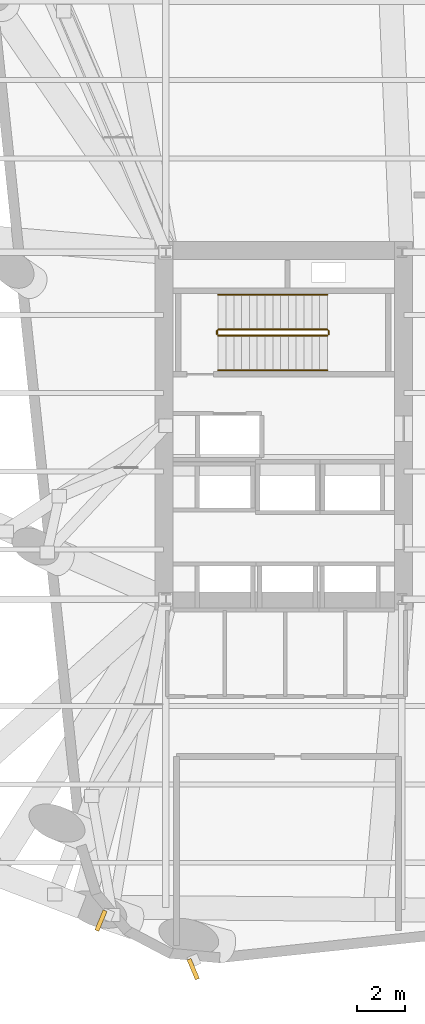
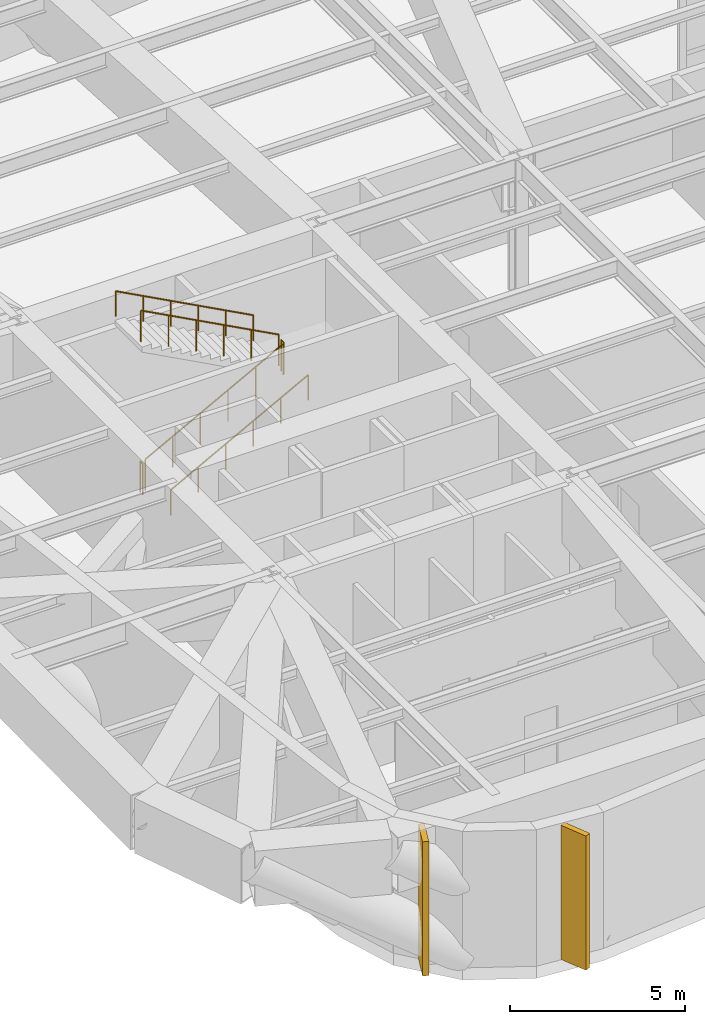
# One storey, part 11 of 15: 6 railings, 2 shading devices.
"""IFC4 building model written with IfcOpenShell, lengths in metres."""

from ifc_helpers import new_model, si_unit, direction, frame, origin, origin_2d, place, context, subcontext, project, spatial, rectangle, circle, extrude, material, type_object, element, save


model = new_model("IFC4")

# Units and contexts
model_context = context("Model", 3, precision=1e-05, world=origin(), true_north=direction((0.0, 1.0)))
body_context = subcontext(model_context, "Body", "Model", "MODEL_VIEW")
ifc_project = project(units=[si_unit("LENGTHUNIT", "METRE"), si_unit("AREAUNIT", "SQUARE_METRE"), si_unit("VOLUMEUNIT", "CUBIC_METRE"), si_unit("PLANEANGLEUNIT", "RADIAN"), si_unit("MASSUNIT", "GRAM", prefix="KILO")], contexts=[model_context])

# Site, building, storey
site_placement = place(None, origin())
site = spatial("IfcSite", under=ifc_project, at=site_placement, CompositionType="ELEMENT")
building_placement = place(site_placement, origin())
building = spatial("IfcBuilding", under=site, at=building_placement, Name="Kolvaren Arena Tower", CompositionType="ELEMENT")
storey_placement = place(building_placement, frame((0.0, 0.0, 153.25)))
storey = spatial("IfcBuildingStorey", under=building, at=storey_placement, Name="L36", CompositionType="ELEMENT", Elevation=153.25)

# Railings
ifc_material_1 = material(Name="Painted galvanized steel", Category="steel")
railing_type_1 = type_object("IfcRailingType", Name="GUARD-ST-110", PredefinedType="GUARDRAIL", material=ifc_material_1)
railing_1_placement = place(storey_placement, frame((16.719970703125, 30.389892578125, 0.17333984375)))
element("IfcRailing", 1, at=railing_1_placement, inside=storey, type_object=railing_type_1, Name="L36 ST-W1 stair guard 1", PredefinedType="GUARDRAIL", context=body_context, shape_type="SweptSolid", body=[
    extrude(circle(Radius=0.02392578125, at=origin_2d()), frame((0.0, 0.0, 1.076171875), z_axis=(0.88174791909, 0.0, 0.471720899664), x_axis=(0.0, 1.0, 0.0)), (0.0, 0.0, 1.0), 5.14453125),
    extrude(circle(Radius=0.02099609375, at=origin_2d()), origin(), (0.0, 0.0, 1.0), 1.052001953125),
    extrude(circle(Radius=0.02099609375, at=origin_2d()), frame((0.9072265625, 0.0, 0.4853515625)), (0.0, 0.0, 1.0), 1.052001953125),
    extrude(circle(Radius=0.02099609375, at=origin_2d()), frame((1.814453125, 0.0, 0.970703125)), (0.0, 0.0, 1.0), 1.052001953125),
    extrude(circle(Radius=0.02099609375, at=origin_2d()), frame((2.7216796875, 0.0, 1.4560546875)), (0.0, 0.0, 1.0), 1.052001953125),
    extrude(circle(Radius=0.02099609375, at=origin_2d()), frame((3.62890625, 0.0, 1.94140625)), (0.0, 0.0, 1.0), 1.052001953125),
    extrude(circle(Radius=0.02099609375, at=origin_2d()), frame((4.5361328125, 0.0, 2.4267578125)), (0.0, 0.0, 1.0), 1.052001953125),
])
railing_2_placement = place(storey_placement, frame((21.305908203125, 30.43994140625, 2.60009765625)))
element("IfcRailing", 2, at=railing_2_placement, inside=storey, type_object=railing_type_1, Name="L36 ST-W1 stair guard 2", PredefinedType="GUARDRAIL", context=body_context, shape_type="SweptSolid", body=[
    extrude(circle(Radius=0.02392578125, at=origin_2d()), frame((0.0, 0.0, 1.076171875), z_axis=(0.0, 1.0, 0.0), x_axis=(-1.0, 0.0, 0.0)), (0.0, 0.0, 1.0), 0.150146484375),
    extrude(circle(Radius=0.02099609375, at=origin_2d()), origin(), (0.0, 0.0, 1.0), 1.052001953125),
    extrude(circle(Radius=0.02099609375, at=origin_2d()), frame((0.0, 0.150146484375, 0.0)), (0.0, 0.0, 1.0), 1.052001953125),
])
railing_3_placement = place(storey_placement, frame((21.256103515625, 30.639892578125, 2.7734375)))
element("IfcRailing", 3, at=railing_3_placement, inside=storey, type_object=railing_type_1, Name="L36 ST-W1 stair guard 3", PredefinedType="GUARDRAIL", context=body_context, shape_type="SweptSolid", body=[
    extrude(circle(Radius=0.02392578125, at=origin_2d()), frame((0.0, 0.0, 1.076171875), z_axis=(-0.881767657903, 0.0, 0.471684001717), x_axis=(0.0, -1.0, 0.0)), (0.0, 0.0, 1.0), 5.144287109375),
    extrude(circle(Radius=0.02099609375, at=origin_2d()), origin(), (0.0, 0.0, 1.0), 1.052001953125),
    extrude(circle(Radius=0.02099609375, at=origin_2d()), frame((-0.9072265625, 0.0, 0.4853515625)), (0.0, 0.0, 1.0), 1.052001953125),
    extrude(circle(Radius=0.02099609375, at=origin_2d()), frame((-1.814453125, 0.0, 0.970703125)), (0.0, 0.0, 1.0), 1.052001953125),
    extrude(circle(Radius=0.02099609375, at=origin_2d()), frame((-2.7216796875, 0.0, 1.455810546875)), (0.0, 0.0, 1.0), 1.052001953125),
    extrude(circle(Radius=0.02099609375, at=origin_2d()), frame((-3.62890625, 0.0, 1.941162109375)), (0.0, 0.0, 1.0), 1.052001953125),
    extrude(circle(Radius=0.02099609375, at=origin_2d()), frame((-4.5361328125, 0.0, 2.426513671875)), (0.0, 0.0, 1.0), 1.052001953125),
])
railing_4_placement = place(storey_placement, frame((16.669921875, 30.43994140625, 0.0)))
element("IfcRailing", 4, at=railing_4_placement, inside=storey, type_object=railing_type_1, Name="L36 ST-W1 stair guard 4", PredefinedType="GUARDRAIL", context=body_context, shape_type="SweptSolid", body=[
    extrude(circle(Radius=0.02392578125, at=origin_2d()), frame((0.0, 0.0, 1.076171875), z_axis=(0.0, 1.0, 0.0), x_axis=(-1.0, 0.0, 0.0)), (0.0, 0.0, 1.0), 0.150146484375),
    extrude(circle(Radius=0.02099609375, at=origin_2d()), origin(), (0.0, 0.0, 1.0), 1.052001953125),
    extrude(circle(Radius=0.02099609375, at=origin_2d()), frame((0.0, 0.150146484375, 0.0)), (0.0, 0.0, 1.0), 1.052001953125),
])
ifc_material_2 = material(Name="Brushed stainless steel handrail", Category="steel")
railing_type_2 = type_object("IfcRailingType", Name="HRAIL-900", PredefinedType="HANDRAIL", material=ifc_material_2)
railing_5_placement = place(storey_placement, frame((16.719970703125, 28.949951171875, 0.17333984375)))
element("IfcRailing", 5, at=railing_5_placement, inside=storey, type_object=railing_type_2, Name="L36 ST-W1 stair handrail 1", PredefinedType="HANDRAIL", context=body_context, shape_type="SweptSolid", body=[
    extrude(circle(Radius=0.02392578125, at=origin_2d()), frame((0.0, 0.0, 0.8759765625), z_axis=(0.88174791909, 0.0, 0.471720899664), x_axis=(0.0, 1.0, 0.0)), (0.0, 0.0, 1.0), 5.14453125),
    extrude(circle(Radius=0.02099609375, at=origin_2d()), origin(), (0.0, 0.0, 1.0), 0.851806640625),
    extrude(circle(Radius=0.02099609375, at=origin_2d()), frame((0.9072265625, 0.0, 0.4853515625)), (0.0, 0.0, 1.0), 0.851806640625),
    extrude(circle(Radius=0.02099609375, at=origin_2d()), frame((1.814453125, 0.0, 0.970703125)), (0.0, 0.0, 1.0), 0.851806640625),
    extrude(circle(Radius=0.02099609375, at=origin_2d()), frame((2.7216796875, 0.0, 1.4560546875)), (0.0, 0.0, 1.0), 0.851806640625),
    extrude(circle(Radius=0.02099609375, at=origin_2d()), frame((3.62890625, 0.0, 1.94140625)), (0.0, 0.0, 1.0), 0.851806640625),
    extrude(circle(Radius=0.02099609375, at=origin_2d()), frame((4.5361328125, 0.0, 2.4267578125)), (0.0, 0.0, 1.0), 0.851806640625),
])
railing_6_placement = place(storey_placement, frame((21.256103515625, 32.080078125, 2.7734375)))
element("IfcRailing", 6, at=railing_6_placement, inside=storey, type_object=railing_type_2, Name="L36 ST-W1 stair handrail 2", PredefinedType="HANDRAIL", context=body_context, shape_type="SweptSolid", body=[
    extrude(circle(Radius=0.02392578125, at=origin_2d()), frame((0.0, 0.0, 0.8759765625), z_axis=(-0.881767657903, 0.0, 0.471684001717), x_axis=(0.0, -1.0, 0.0)), (0.0, 0.0, 1.0), 5.144287109375),
    extrude(circle(Radius=0.02099609375, at=origin_2d()), origin(), (0.0, 0.0, 1.0), 0.851806640625),
    extrude(circle(Radius=0.02099609375, at=origin_2d()), frame((-0.9072265625, 0.0, 0.4853515625)), (0.0, 0.0, 1.0), 0.851806640625),
    extrude(circle(Radius=0.02099609375, at=origin_2d()), frame((-1.814453125, 0.0, 0.970703125)), (0.0, 0.0, 1.0), 0.851806640625),
    extrude(circle(Radius=0.02099609375, at=origin_2d()), frame((-2.7216796875, 0.0, 1.455810546875)), (0.0, 0.0, 1.0), 0.851806640625),
    extrude(circle(Radius=0.02099609375, at=origin_2d()), frame((-3.62890625, 0.0, 1.941162109375)), (0.0, 0.0, 1.0), 0.851806640625),
    extrude(circle(Radius=0.02099609375, at=origin_2d()), frame((-4.5361328125, 0.0, 2.426513671875)), (0.0, 0.0, 1.0), 0.851806640625),
])

# Shading devices
ifc_material_3 = material(Name="Precast architectural concrete C50/60 rib fin", Category="concrete")
shading_device_type = type_object("IfcShadingDeviceType", Name="SHAD-FIN-28", PredefinedType="USERDEFINED", material=ifc_material_3)
for number, where, z_axis, x_axis, name in (
    (7, (11.8525390625, 6.09521484375, 0.02001953125), (0.0, 0.0, 1.0), (-0.378634078949, -0.925546451702, 0.0), "Precast 28-Deg Corner Rib Fin (L36)"),
    (8, (15.683837890625, 4.07958984375, 0.02001953125), (0.0, 0.0, 1.0), (0.386706132999, -0.922202996472, 0.0), "Precast 28-Deg Corner Rib Fin (L36)"),
):
    element("IfcShadingDevice", number, at=place(storey_placement, frame(where, z_axis=z_axis, x_axis=x_axis)), inside=storey, type_object=shading_device_type, Name=name, ObjectType="FIN", PredefinedType="USERDEFINED", context=body_context, shape_type="SweptSolid", body=[
        extrude(rectangle(XDim=0.89990234375, YDim=0.179931640625, at=origin_2d()), origin(), (0.0, 0.0, 1.0), 4.669921875),
    ])

save(model, "model.ifc")
